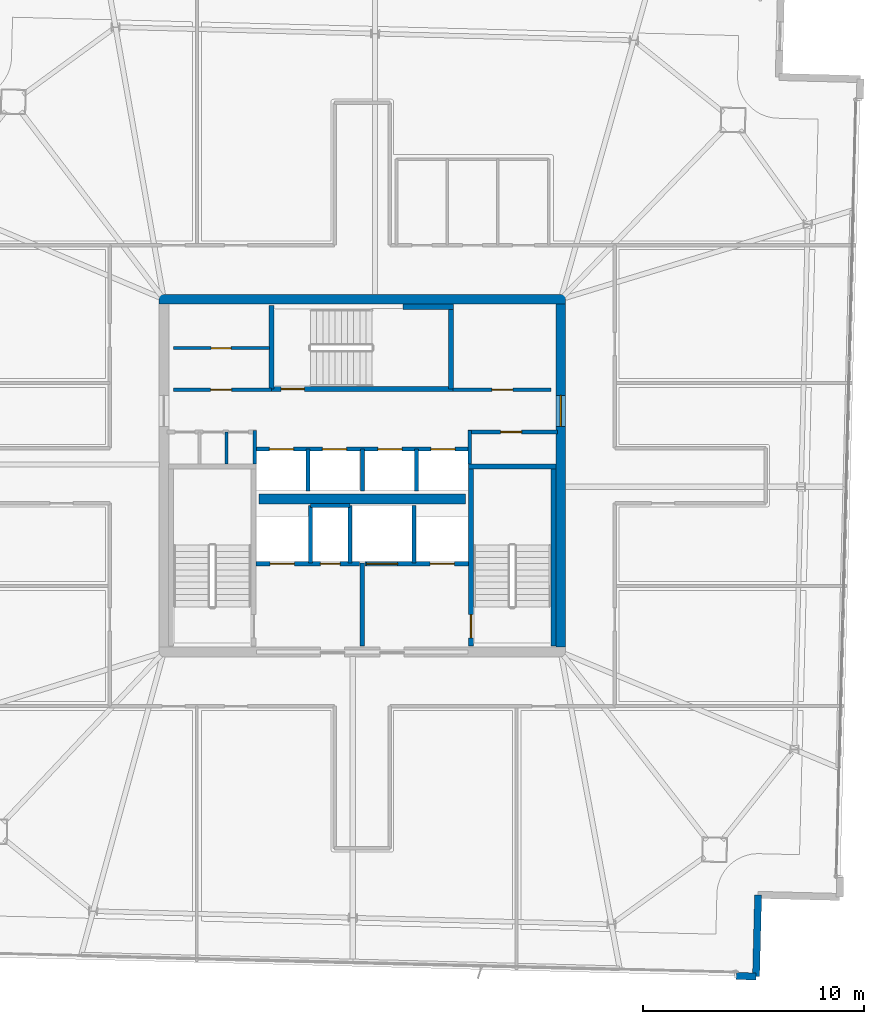
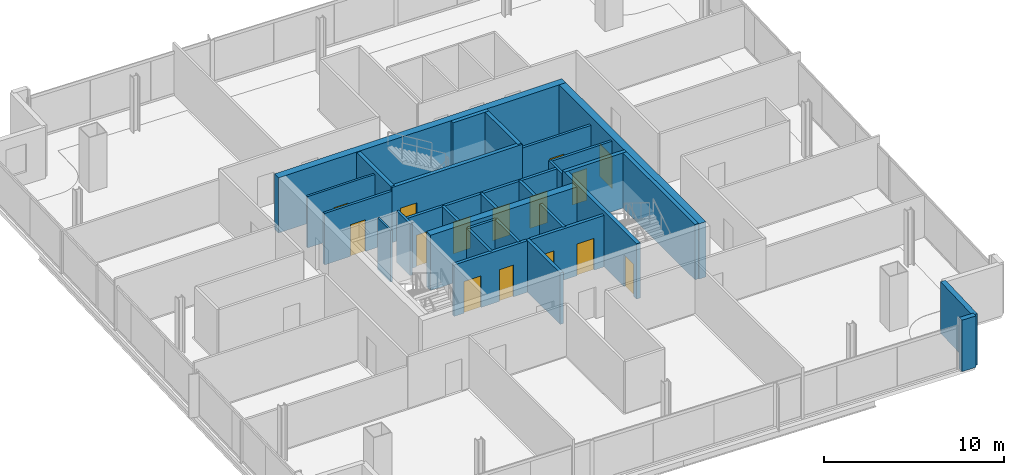
# One storey, part 20 of 25: 30 walls, 15 doors, 15 openings.
"""IFC4 building model written with IfcOpenShell, lengths in metres."""

from ifc_helpers import new_model, si_unit, direction, frame, frame_2d, origin, place, context, subcontext, project, spatial, rectangle, extrude, material, layer, layer_set, type_object, element, fill, save


model = new_model("IFC4")

# Units and contexts
model_context = context("Model", 3, precision=1e-05, world=origin(), true_north=direction((0.0, 1.0)))
body_context = subcontext(model_context, "Body", "Model", "MODEL_VIEW")
ifc_project = project(units=[si_unit("LENGTHUNIT", "METRE"), si_unit("AREAUNIT", "SQUARE_METRE"), si_unit("VOLUMEUNIT", "CUBIC_METRE"), si_unit("PLANEANGLEUNIT", "RADIAN"), si_unit("MASSUNIT", "GRAM", prefix="KILO")], contexts=[model_context])

# Site, building, storey
site_placement = place(None, origin())
site = spatial("IfcSite", under=ifc_project, at=site_placement, CompositionType="ELEMENT")
building_placement = place(site_placement, origin())
building = spatial("IfcBuilding", under=site, at=building_placement, Name="Haldenkirk Collegiate Tower", CompositionType="ELEMENT")
storey_placement = place(building_placement, frame((0.0, 0.0, 325.199951171875)))
storey = spatial("IfcBuildingStorey", under=building, at=storey_placement, Name="L82", CompositionType="ELEMENT", Elevation=325.199951171875)

# Wall
ifc_material_1 = material(Name="Concrete f'c 55 MPa", Category="concrete")
ifc_layer_1 = layer(ifc_material_1, 0.449951171875)
ifc_layer_set_1 = layer_set([ifc_layer_1], Name="Concrete f'c 55 MPa")
wall_type_1 = type_object("IfcWallType", Name="WL-CORE-450", PredefinedType="SHEAR", material=ifc_layer_set_1)
wall_1_placement = place(storey_placement, frame((26.77490234375, 34.0, 0.0), z_axis=(0.0, 0.0, 1.0), x_axis=(1.0, 0.0, 0.0)))
element("IfcWall", 1, at=wall_1_placement, inside=storey, type_object=wall_type_1, Name="L82 central core shear wall N", PredefinedType="SHEAR", context=body_context, shape_type="SweptSolid", body=[
    extrude(rectangle(XDim=18.4501953125, YDim=0.449951171875, at=frame_2d((9.22509765625, 0.0))), origin(), (0.0, 0.0, 1.0), 3.75),
])

# Wall, opening, door
wall_2_placement = place(storey_placement, frame((45.0, 18.22509765625, 0.0), z_axis=(0.0, 0.0, 1.0), x_axis=(0.0, 1.0, 0.0)))
wall_2 = element("IfcWall", 2, at=wall_2_placement, inside=storey, type_object=wall_type_1, Name="L82 central core shear wall E", PredefinedType="SHEAR", context=body_context, shape_type="SweptSolid", body=[
    extrude(rectangle(XDim=15.5498046875, YDim=0.449951171875, at=frame_2d((7.77490234375, 0.0))), origin(), (0.0, 0.0, 1.0), 3.75),
])
opening_1_placement = place(wall_2_placement, frame((10.014892578125, 0.0, 0.0)))
opening_1 = element("IfcOpeningElement", 3, at=opening_1_placement, cuts=wall_2, Name="Opening D-03", PredefinedType="OPENING", context=body_context, shape_type="SweptSolid", body=[
    extrude(rectangle(XDim=1.39990234375, YDim=2.199951171875, at=frame_2d((0.699951171875, 1.10009765625))), frame((0.0, 0.23486328125, 0.0), z_axis=(0.0, -1.0, 0.0), x_axis=(1.0, 0.0, 0.0)), (0.0, 0.0, 1.0), 0.469970703125),
])
ifc_material_2 = material(Name="Galvanized fire-rated hollow steel door", Category="steel")
ifc_layer_2 = layer(ifc_material_2, 0.06005859375)
ifc_layer_set_2 = layer_set([ifc_layer_2], Name="Galvanized fire-rated hollow steel door")
door_type_1 = type_object("IfcDoorType", Name="DR-LOBBY-FD90-1400", OperationType="NOTDEFINED", PredefinedType="DOOR", material=ifc_layer_set_2)
door_1_placement = place(opening_1_placement, origin())
door_1 = element("IfcDoor", 4, at=door_1_placement, inside=storey, type_object=door_type_1, Name="L82 east lift lobby portal", OperationType="DOUBLE_DOOR_SINGLE_SWING", OverallHeight=2.199951171875, OverallWidth=1.39990234375, PredefinedType="DOOR", context=body_context, shape_type="SweptSolid", body=[
    extrude(rectangle(XDim=1.39990234375, YDim=2.199951171875, at=frame_2d((0.699951171875, 1.10009765625))), frame((0.0, 0.02490234375, 0.0), z_axis=(0.0, -1.0, 0.0), x_axis=(1.0, 0.0, 0.0)), (0.0, 0.0, 1.0), 0.050048828125),
])
fill(opening_1, door_1)

# Walls
wall_3_placement = place(storey_placement, frame((31.31005859375, 24.949951171875, 0.0), z_axis=(0.0, 0.0, 1.0), x_axis=(1.0, 0.0, 0.0)))
element("IfcWall", 5, at=wall_3_placement, inside=storey, type_object=wall_type_1, Name="L82 central core spine shear wall", PredefinedType="SHEAR", context=body_context, shape_type="SweptSolid", body=[
    extrude(rectangle(XDim=9.3798828125, YDim=0.449951171875, at=frame_2d((4.68994140625, 0.0))), origin(), (0.0, 0.0, 1.0), 3.75),
])
ifc_material_3 = material(Name="Precast concrete f'c 40 MPa", Category="concrete")
ifc_layer_3 = layer(ifc_material_3, 0.320068359375)
ifc_layer_set_3 = layer_set([ifc_layer_3], Name="Precast concrete f'c 40 MPa")
wall_type_2 = type_object("IfcWallType", Name="WL-EXT-TWR-320", PredefinedType="STANDARD", material=ifc_layer_set_3)
wall_4_placement = place(storey_placement, frame((53.856201171875, 3.291015625, 0.0), z_axis=(0.0, 0.0, 1.0), x_axis=(-0.999681860238, 0.025222575421, 0.0)))
element("IfcWall", 6, at=wall_4_placement, inside=storey, type_object=wall_type_2, Name="L82 precast corner pier WL", PredefinedType="STANDARD", context=body_context, shape_type="SweptSolid", body=[
    extrude(rectangle(XDim=0.900146484375, YDim=0.320068359375, at=frame_2d((0.4501953125, 0.0))), origin(), (0.0, 0.0, 1.0), 3.489990234375),
])
wall_5_placement = place(storey_placement, frame((53.94970703125, 6.98974609375, 0.0), z_axis=(0.0, 0.0, 1.0), x_axis=(-0.025272453466, -0.99968060054, 0.0)))
element("IfcWall", 7, at=wall_5_placement, inside=storey, type_object=wall_type_2, Name="L82 bronze precast notch wall 11", PredefinedType="STANDARD", context=body_context, shape_type="SweptSolid", body=[
    extrude(rectangle(XDim=3.699951171875, YDim=0.320068359375, at=frame_2d((1.85009765625, 0.0))), origin(), (0.0, 0.0, 1.0), 3.489990234375),
])
ifc_material_4 = material(Name="Acoustic fire-rated gypsum partition", Category="concrete")
ifc_layer_4 = layer(ifc_material_4, 0.159912109375)
ifc_layer_set_4 = layer_set([ifc_layer_4], Name="Acoustic fire-rated gypsum partition")
wall_type_3 = type_object("IfcWallType", Name="WL-INT-CORR-160", PredefinedType="PARTITIONING", material=ifc_layer_set_4)
wall_6_placement = place(storey_placement, frame((31.1201171875, 26.5400390625, 0.0), z_axis=(0.0, 0.0, 1.0), x_axis=(0.0, 1.0, 0.0)))
element("IfcWall", 8, at=wall_6_placement, inside=storey, type_object=wall_type_3, Name="L82 interior partition IW-L82-VCSW-E", PredefinedType="PARTITIONING", context=body_context, shape_type="SweptSolid", body=[
    extrude(rectangle(XDim=1.510009765625, YDim=0.159912109375, at=frame_2d((0.7548828125, 0.0))), origin(), (0.0, 0.0, 1.0), 3.489990234375),
])

# Wall, opening, door
wall_7_placement = place(storey_placement, frame((40.800048828125, 27.97998046875, 0.0), z_axis=(0.0, 0.0, 1.0), x_axis=(1.0, 0.0, 0.0)))
wall_7 = element("IfcWall", 9, at=wall_7_placement, inside=storey, type_object=wall_type_3, Name="L82 interior partition IW-L82-VCSE-N", PredefinedType="PARTITIONING", context=body_context, shape_type="SweptSolid", body=[
    extrude(rectangle(XDim=4.050048828125, YDim=0.159912109375, at=frame_2d((2.02490234375, 0.0))), origin(), (0.0, 0.0, 1.0), 3.489990234375),
])
opening_2_placement = place(wall_7_placement, frame((1.47509765625, 0.0, 0.0)))
opening_2 = element("IfcOpeningElement", 10, at=opening_2_placement, cuts=wall_7, Name="Opening D-10", PredefinedType="OPENING", context=body_context, shape_type="SweptSolid", body=[
    extrude(rectangle(XDim=0.949951171875, YDim=2.14990234375, at=frame_2d((0.47509765625, 1.074951171875))), frame((0.0, 0.08984375, 0.0), z_axis=(0.0, -1.0, 0.0), x_axis=(1.0, 0.0, 0.0)), (0.0, 0.0, 1.0), 0.179931640625),
])
ifc_material_5 = material(Name="Solid-core architectural oak fire door", Category="wood")
ifc_layer_5 = layer(ifc_material_5, 0.06005859375)
ifc_layer_set_5 = layer_set([ifc_layer_5], Name="Solid-core architectural oak fire door")
door_type_2 = type_object("IfcDoorType", Name="DR-INT-FD60-950", OperationType="NOTDEFINED", PredefinedType="DOOR", material=ifc_layer_set_5)
door_2_placement = place(opening_2_placement, origin())
door_2 = element("IfcDoor", 11, at=door_2_placement, inside=storey, type_object=door_type_2, Name="L82 core archive vault door", OperationType="SINGLE_SWING_LEFT", OverallHeight=2.14990234375, OverallWidth=0.949951171875, PredefinedType="DOOR", context=body_context, shape_type="SweptSolid", body=[
    extrude(rectangle(XDim=0.949951171875, YDim=2.14990234375, at=frame_2d((0.47509765625, 1.074951171875))), frame((0.0, 0.02490234375, 0.0), z_axis=(0.0, -1.0, 0.0), x_axis=(1.0, 0.0, 0.0)), (0.0, 0.0, 1.0), 0.050048828125),
])
fill(opening_2, door_2)

# Wall
wall_8_placement = place(storey_placement, frame((40.8798828125, 26.5400390625, 0.0), z_axis=(0.0, 0.0, 1.0), x_axis=(0.0, 1.0, 0.0)))
element("IfcWall", 12, at=wall_8_placement, inside=storey, type_object=wall_type_3, Name="L82 interior partition IW-L82-VCSE-W", PredefinedType="PARTITIONING", context=body_context, shape_type="SweptSolid", body=[
    extrude(rectangle(XDim=1.510009765625, YDim=0.159912109375, at=frame_2d((0.7548828125, 0.0))), origin(), (0.0, 0.0, 1.0), 3.489990234375),
])

# Wall, opening, door
wall_9_placement = place(storey_placement, frame((27.449951171875, 29.89990234375, 0.0), z_axis=(0.0, 0.0, 1.0), x_axis=(1.0, 0.0, 0.0)))
wall_9 = element("IfcWall", 13, at=wall_9_placement, inside=storey, type_object=wall_type_3, Name="L82 interior partition IW-L82-PLS", PredefinedType="PARTITIONING", context=body_context, shape_type="SweptSolid", body=[
    extrude(rectangle(XDim=4.429931640625, YDim=0.159912109375, at=frame_2d((2.21484375, 0.0))), origin(), (0.0, 0.0, 1.0), 3.489990234375),
])
opening_3_placement = place(wall_9_placement, frame((1.675048828125, 0.0, 0.0)))
opening_3 = element("IfcOpeningElement", 14, at=opening_3_placement, cuts=wall_9, Name="Opening D-10", PredefinedType="OPENING", context=body_context, shape_type="SweptSolid", body=[
    extrude(rectangle(XDim=0.949951171875, YDim=2.14990234375, at=frame_2d((0.47509765625, 1.074951171875))), frame((0.0, 0.08984375, 0.0), z_axis=(0.0, -1.0, 0.0), x_axis=(1.0, 0.0, 0.0)), (0.0, 0.0, 1.0), 0.179931640625),
])
door_3_placement = place(opening_3_placement, origin())
door_3 = element("IfcDoor", 15, at=door_3_placement, inside=storey, type_object=door_type_2, Name="L82 consultation door", OperationType="SINGLE_SWING_RIGHT", OverallHeight=2.14990234375, OverallWidth=0.949951171875, PredefinedType="DOOR", context=body_context, shape_type="SweptSolid", body=[
    extrude(rectangle(XDim=0.949951171875, YDim=2.14990234375, at=frame_2d((0.47509765625, 1.074951171875))), frame((0.0, 0.02490234375, 0.0), z_axis=(0.0, -1.0, 0.0), x_axis=(1.0, 0.0, 0.0)), (0.0, 0.0, 1.0), 0.050048828125),
])
fill(opening_3, door_3)

wall_10_placement = place(storey_placement, frame((40.1201171875, 29.89990234375, 0.0), z_axis=(0.0, 0.0, 1.0), x_axis=(1.0, 0.0, 0.0)))
wall_10 = element("IfcWall", 16, at=wall_10_placement, inside=storey, type_object=wall_type_3, Name="L82 interior partition IW-L82-PMS", PredefinedType="PARTITIONING", context=body_context, shape_type="SweptSolid", body=[
    extrude(rectangle(XDim=4.429931640625, YDim=0.159912109375, at=frame_2d((2.21484375, 0.0))), origin(), (0.0, 0.0, 1.0), 3.489990234375),
])
opening_4_placement = place(wall_10_placement, frame((1.7548828125, 0.0, 0.0)))
opening_4 = element("IfcOpeningElement", 17, at=opening_4_placement, cuts=wall_10, Name="Opening D-10", PredefinedType="OPENING", context=body_context, shape_type="SweptSolid", body=[
    extrude(rectangle(XDim=0.949951171875, YDim=2.14990234375, at=frame_2d((0.47509765625, 1.074951171875))), frame((0.0, 0.08984375, 0.0), z_axis=(0.0, -1.0, 0.0), x_axis=(1.0, 0.0, 0.0)), (0.0, 0.0, 1.0), 0.179931640625),
])
door_4_placement = place(opening_4_placement, origin())
door_4 = element("IfcDoor", 18, at=door_4_placement, inside=storey, type_object=door_type_2, Name="L82 reference archive door", OperationType="SINGLE_SWING_RIGHT", OverallHeight=2.14990234375, OverallWidth=0.949951171875, PredefinedType="DOOR", context=body_context, shape_type="SweptSolid", body=[
    extrude(rectangle(XDim=0.949951171875, YDim=2.14990234375, at=frame_2d((0.47509765625, 1.074951171875))), frame((0.0, 0.02490234375, 0.0), z_axis=(0.0, -1.0, 0.0), x_axis=(1.0, 0.0, 0.0)), (0.0, 0.0, 1.0), 0.050048828125),
])
fill(opening_4, door_4)

ifc_layer_6 = layer(ifc_material_4, 0.139892578125)
ifc_layer_set_6 = layer_set([ifc_layer_6], Name="Acoustic fire-rated gypsum partition")
wall_type_4 = type_object("IfcWallType", Name="WL-INT-DIV-140", PredefinedType="PARTITIONING", material=ifc_layer_set_6)
wall_11_placement = place(storey_placement, frame((27.449951171875, 31.780029296875, 0.0), z_axis=(0.0, 0.0, 1.0), x_axis=(1.0, 0.0, 0.0)))
wall_11 = element("IfcWall", 19, at=wall_11_placement, inside=storey, type_object=wall_type_4, Name="L82 interior partition IW-L82-PLDIVH", PredefinedType="PARTITIONING", context=body_context, shape_type="SweptSolid", body=[
    extrude(rectangle(XDim=4.35009765625, YDim=0.139892578125, at=frame_2d((2.175048828125, 0.0))), origin(), (0.0, 0.0, 1.0), 3.489990234375),
])
opening_5_placement = place(wall_11_placement, frame((1.699951171875, 0.0, 0.0)))
opening_5 = element("IfcOpeningElement", 20, at=opening_5_placement, cuts=wall_11, Name="Opening D-13", PredefinedType="OPENING", context=body_context, shape_type="SweptSolid", body=[
    extrude(rectangle(XDim=0.89990234375, YDim=2.14990234375, at=frame_2d((0.449951171875, 1.074951171875))), frame((0.0, 0.079833984375, 0.0), z_axis=(0.0, -1.0, 0.0), x_axis=(1.0, 0.0, 0.0)), (0.0, 0.0, 1.0), 0.159912109375),
])
ifc_layer_7 = layer(ifc_material_5, 0.06005859375)
ifc_layer_set_7 = layer_set([ifc_layer_7], Name="Solid-core architectural oak fire door")
door_type_3 = type_object("IfcDoorType", Name="DR-INT-STD-900", OperationType="NOTDEFINED", PredefinedType="DOOR", material=ifc_layer_set_7)
door_5_placement = place(opening_5_placement, origin())
door_5 = element("IfcDoor", 21, at=door_5_placement, inside=storey, type_object=door_type_3, Name="L82 folio vault door", OperationType="SINGLE_SWING_LEFT", OverallHeight=2.14990234375, OverallWidth=0.89990234375, PredefinedType="DOOR", context=body_context, shape_type="SweptSolid", body=[
    extrude(rectangle(XDim=0.89990234375, YDim=2.14990234375, at=frame_2d((0.449951171875, 1.074951171875))), frame((0.0, 0.02490234375, 0.0), z_axis=(0.0, -1.0, 0.0), x_axis=(1.0, 0.0, 0.0)), (0.0, 0.0, 1.0), 0.050048828125),
])
fill(opening_5, door_5)

# Walls
ifc_material_6 = material(Name="Fire-rated gypsum shaftboard assembly", Category="concrete")
ifc_layer_8 = layer(ifc_material_6, 0.179931640625)
ifc_layer_set_8 = layer_set([ifc_layer_8], Name="Fire-rated gypsum shaftboard assembly")
wall_type_5 = type_object("IfcWallType", Name="WL-INT-SHAFT-180", PredefinedType="PARTITIONING", material=ifc_layer_set_8)
for number, where, z_axis, x_axis, name in (
    (22, (33.64990234375, 22.050048828125, 0.0), (0.0, 0.0, 1.0), (0.0, 1.0, 0.0), "L82 interior partition IW-L82-FL1E"),
    (23, (35.449951171875, 22.050048828125, 0.0), (0.0, 0.0, 1.0), (0.0, 1.0, 0.0), "L82 interior partition IW-L82-GL1W"),
):
    element("IfcWall", number, at=place(storey_placement, frame(where, z_axis=z_axis, x_axis=x_axis)), inside=storey, type_object=wall_type_5, Name=name, PredefinedType="PARTITIONING", context=body_context, shape_type="SweptSolid", body=[
        extrude(rectangle(XDim=2.599853515625, YDim=0.179931640625, at=frame_2d((1.2998046875, 0.0))), origin(), (0.0, 0.0, 1.0), 3.489990234375),
    ])
wall_12_placement = place(storey_placement, frame((33.64990234375, 24.64990234375, 0.0), z_axis=(0.0, 0.0, 1.0), x_axis=(1.0, 0.0, 0.0)))
element("IfcWall", 24, at=wall_12_placement, inside=storey, type_object=wall_type_5, Name="L82 interior partition IW-L82-RSRN", PredefinedType="PARTITIONING", context=body_context, shape_type="SweptSolid", body=[
    extrude(rectangle(XDim=1.800048828125, YDim=0.179931640625, at=frame_2d((0.89990234375, 0.0))), origin(), (0.0, 0.0, 1.0), 3.489990234375),
])
wall_13_placement = place(storey_placement, frame((38.35009765625, 22.050048828125, 0.0), z_axis=(0.0, 0.0, 1.0), x_axis=(0.0, 1.0, 0.0)))
element("IfcWall", 25, at=wall_13_placement, inside=storey, type_object=wall_type_5, Name="L82 interior partition IW-L82-GL1E", PredefinedType="PARTITIONING", context=body_context, shape_type="SweptSolid", body=[
    extrude(rectangle(XDim=2.599853515625, YDim=0.179931640625, at=frame_2d((1.2998046875, 0.0))), origin(), (0.0, 0.0, 1.0), 3.489990234375),
])

# Wall, openings, doors
wall_14_placement = place(storey_placement, frame((31.199951171875, 27.199951171875, 0.0), z_axis=(0.0, 0.0, 1.0), x_axis=(1.0, 0.0, 0.0)))
wall_14 = element("IfcWall", 26, at=wall_14_placement, inside=storey, type_object=wall_type_5, Name="L82 interior partition IW-L82-PHN", PredefinedType="PARTITIONING", context=body_context, shape_type="SweptSolid", body=[
    extrude(rectangle(XDim=9.60009765625, YDim=0.179931640625, at=frame_2d((4.800048828125, 0.0))), origin(), (0.0, 0.0, 1.0), 3.489990234375),
])
opening_6_placement = place(wall_14_placement, frame((0.590087890625, 0.0, 0.0)))
opening_6 = element("IfcOpeningElement", 27, at=opening_6_placement, cuts=wall_14, Name="Opening LD-11", PredefinedType="OPENING", context=body_context, shape_type="SweptSolid", body=[
    extrude(rectangle(XDim=1.10009765625, YDim=2.14990234375, at=frame_2d((0.550048828125, 1.074951171875))), frame((0.0, 0.099853515625, 0.0), z_axis=(0.0, -1.0, 0.0), x_axis=(1.0, 0.0, 0.0)), (0.0, 0.0, 1.0), 0.199951171875),
])
opening_7_placement = place(wall_14_placement, frame((2.989990234375, 0.0, 0.0)))
opening_7 = element("IfcOpeningElement", 28, at=opening_7_placement, cuts=wall_14, Name="Opening LD-11", PredefinedType="OPENING", context=body_context, shape_type="SweptSolid", body=[
    extrude(rectangle(XDim=1.10009765625, YDim=2.14990234375, at=frame_2d((0.550048828125, 1.074951171875))), frame((0.0, 0.099853515625, 0.0), z_axis=(0.0, -1.0, 0.0), x_axis=(1.0, 0.0, 0.0)), (0.0, 0.0, 1.0), 0.199951171875),
])
opening_8_placement = place(wall_14_placement, frame((5.510009765625, 0.0, 0.0)))
opening_8 = element("IfcOpeningElement", 29, at=opening_8_placement, cuts=wall_14, Name="Opening LD-11", PredefinedType="OPENING", context=body_context, shape_type="SweptSolid", body=[
    extrude(rectangle(XDim=1.10009765625, YDim=2.14990234375, at=frame_2d((0.550048828125, 1.074951171875))), frame((0.0, 0.099853515625, 0.0), z_axis=(0.0, -1.0, 0.0), x_axis=(1.0, 0.0, 0.0)), (0.0, 0.0, 1.0), 0.199951171875),
])
opening_9_placement = place(wall_14_placement, frame((7.909912109375, 0.0, 0.0)))
opening_9 = element("IfcOpeningElement", 30, at=opening_9_placement, cuts=wall_14, Name="Opening LD-11", PredefinedType="OPENING", context=body_context, shape_type="SweptSolid", body=[
    extrude(rectangle(XDim=1.10009765625, YDim=2.14990234375, at=frame_2d((0.550048828125, 1.074951171875))), frame((0.0, 0.099853515625, 0.0), z_axis=(0.0, -1.0, 0.0), x_axis=(1.0, 0.0, 0.0)), (0.0, 0.0, 1.0), 0.199951171875),
])
ifc_material_7 = material(Name="Brushed architectural stainless steel", Category="steel")
ifc_layer_9 = layer(ifc_material_7, 0.06005859375)
ifc_layer_set_9 = layer_set([ifc_layer_9], Name="Brushed architectural stainless steel")
door_type_4 = type_object("IfcDoorType", Name="LD-PASS-1100", OperationType="NOTDEFINED", PredefinedType="DOOR", material=ifc_layer_set_9)
door_6_placement = place(opening_6_placement, origin())
door_6 = element("IfcDoor", 31, at=door_6_placement, inside=storey, type_object=door_type_4, Name="L82 Elevator PH1 sliding landing door", OperationType="SLIDING_TO_LEFT", OverallHeight=2.14990234375, OverallWidth=1.10009765625, PredefinedType="DOOR", context=body_context, shape_type="SweptSolid", body=[
    extrude(rectangle(XDim=1.10009765625, YDim=2.14990234375, at=frame_2d((0.550048828125, 1.074951171875))), frame((0.0, 0.02490234375, 0.0), z_axis=(0.0, -1.0, 0.0), x_axis=(1.0, 0.0, 0.0)), (0.0, 0.0, 1.0), 0.050048828125),
])
fill(opening_6, door_6)
door_7_placement = place(opening_7_placement, origin())
door_7 = element("IfcDoor", 32, at=door_7_placement, inside=storey, type_object=door_type_4, Name="L82 Elevator PH2 sliding landing door", OperationType="SLIDING_TO_LEFT", OverallHeight=2.14990234375, OverallWidth=1.10009765625, PredefinedType="DOOR", context=body_context, shape_type="SweptSolid", body=[
    extrude(rectangle(XDim=1.10009765625, YDim=2.14990234375, at=frame_2d((0.550048828125, 1.074951171875))), frame((0.0, 0.02490234375, 0.0), z_axis=(0.0, -1.0, 0.0), x_axis=(1.0, 0.0, 0.0)), (0.0, 0.0, 1.0), 0.050048828125),
])
fill(opening_7, door_7)
door_8_placement = place(opening_8_placement, origin())
door_8 = element("IfcDoor", 33, at=door_8_placement, inside=storey, type_object=door_type_4, Name="L82 Elevator PH3 sliding landing door", OperationType="SLIDING_TO_LEFT", OverallHeight=2.14990234375, OverallWidth=1.10009765625, PredefinedType="DOOR", context=body_context, shape_type="SweptSolid", body=[
    extrude(rectangle(XDim=1.10009765625, YDim=2.14990234375, at=frame_2d((0.550048828125, 1.074951171875))), frame((0.0, 0.02490234375, 0.0), z_axis=(0.0, -1.0, 0.0), x_axis=(1.0, 0.0, 0.0)), (0.0, 0.0, 1.0), 0.050048828125),
])
fill(opening_8, door_8)
door_9_placement = place(opening_9_placement, origin())
door_9 = element("IfcDoor", 34, at=door_9_placement, inside=storey, type_object=door_type_4, Name="L82 Elevator PH4 sliding landing door", OperationType="SLIDING_TO_LEFT", OverallHeight=2.14990234375, OverallWidth=1.10009765625, PredefinedType="DOOR", context=body_context, shape_type="SweptSolid", body=[
    extrude(rectangle(XDim=1.10009765625, YDim=2.14990234375, at=frame_2d((0.550048828125, 1.074951171875))), frame((0.0, 0.02490234375, 0.0), z_axis=(0.0, -1.0, 0.0), x_axis=(1.0, 0.0, 0.0)), (0.0, 0.0, 1.0), 0.050048828125),
])
fill(opening_9, door_9)

# Walls
for number, where, z_axis, x_axis, name in (
    (35, (33.5400390625, 25.300048828125, 0.0), (0.0, 0.0, 1.0), (0.0, 1.0, 0.0), "L82 interior partition IW-L82-PHV1"),
    (36, (36.0, 25.300048828125, 0.0), (0.0, 0.0, 1.0), (0.0, 1.0, 0.0), "L82 interior partition IW-L82-PHV2"),
    (37, (38.4599609375, 25.300048828125, 0.0), (0.0, 0.0, 1.0), (0.0, 1.0, 0.0), "L82 interior partition IW-L82-PHV3"),
):
    element("IfcWall", number, at=place(storey_placement, frame(where, z_axis=z_axis, x_axis=x_axis)), inside=storey, type_object=wall_type_5, Name=name, PredefinedType="PARTITIONING", context=body_context, shape_type="SweptSolid", body=[
        extrude(rectangle(XDim=1.89990234375, YDim=0.179931640625, at=frame_2d((0.949951171875, 0.0))), origin(), (0.0, 0.0, 1.0), 3.489990234375),
    ])
ifc_layer_10 = layer(ifc_material_6, 0.199951171875)
ifc_layer_set_10 = layer_set([ifc_layer_10], Name="Fire-rated gypsum shaftboard assembly")
wall_type_6 = type_object("IfcWallType", Name="WL-INT-SHAFT-200", PredefinedType="PARTITIONING", material=ifc_layer_set_10)
wall_15_placement = place(storey_placement, frame((36.0, 18.280029296875, 0.0), z_axis=(0.0, 0.0, 1.0), x_axis=(0.0, 1.0, 0.0)))
element("IfcWall", 38, at=wall_15_placement, inside=storey, type_object=wall_type_6, Name="L82 interior partition IW-L82-FFLM", PredefinedType="PARTITIONING", context=body_context, shape_type="SweptSolid", body=[
    extrude(rectangle(XDim=3.77001953125, YDim=0.199951171875, at=frame_2d((1.885009765625, 0.0))), origin(), (0.0, 0.0, 1.0), 3.489990234375),
])

# Wall, openings, doors
wall_16_placement = place(storey_placement, frame((31.18994140625, 22.0, 0.0), z_axis=(0.0, 0.0, 1.0), x_axis=(1.0, 0.0, 0.0)))
wall_16 = element("IfcWall", 39, at=wall_16_placement, inside=storey, type_object=wall_type_6, Name="L82 interior partition IW-L82-FFL1N", PredefinedType="PARTITIONING", context=body_context, shape_type="SweptSolid", body=[
    extrude(rectangle(XDim=4.68994140625, YDim=0.199951171875, at=frame_2d((2.344970703125, 0.0))), origin(), (0.0, 0.0, 1.0), 3.489990234375),
])
opening_10_placement = place(wall_16_placement, frame((2.909912109375, 0.0, 0.0)))
opening_10 = element("IfcOpeningElement", 40, at=opening_10_placement, cuts=wall_16, Name="Opening D-06", PredefinedType="OPENING", context=body_context, shape_type="SweptSolid", body=[
    extrude(rectangle(XDim=0.89990234375, YDim=2.14990234375, at=frame_2d((0.449951171875, 1.074951171875))), frame((0.0, 0.10986328125, 0.0), z_axis=(0.0, -1.0, 0.0), x_axis=(1.0, 0.0, 0.0)), (0.0, 0.0, 1.0), 0.219970703125),
])
opening_11_placement = place(wall_16_placement, frame((0.635009765625, 0.0, 0.0)))
opening_11 = element("IfcOpeningElement", 41, at=opening_11_placement, cuts=wall_16, Name="Opening LD-12", PredefinedType="OPENING", context=body_context, shape_type="SweptSolid", body=[
    extrude(rectangle(XDim=1.10009765625, YDim=2.14990234375, at=frame_2d((0.550048828125, 1.074951171875))), frame((0.0, 0.10986328125, 0.0), z_axis=(0.0, -1.0, 0.0), x_axis=(1.0, 0.0, 0.0)), (0.0, 0.0, 1.0), 0.219970703125),
])
ifc_layer_11 = layer(ifc_material_2, 0.06005859375)
ifc_layer_set_11 = layer_set([ifc_layer_11], Name="Galvanized fire-rated hollow steel door")
door_type_5 = type_object("IfcDoorType", Name="DR-INT-FD90-900", OperationType="NOTDEFINED", PredefinedType="DOOR", material=ifc_layer_set_11)
door_10_placement = place(opening_10_placement, origin())
door_10 = element("IfcDoor", 42, at=door_10_placement, inside=storey, type_object=door_type_5, Name="L82 electrical riser door", OperationType="SINGLE_SWING_RIGHT", OverallHeight=2.14990234375, OverallWidth=0.89990234375, PredefinedType="DOOR", context=body_context, shape_type="SweptSolid", body=[
    extrude(rectangle(XDim=0.89990234375, YDim=2.14990234375, at=frame_2d((0.449951171875, 1.074951171875))), frame((0.0, 0.02490234375, 0.0), z_axis=(0.0, -1.0, 0.0), x_axis=(1.0, 0.0, 0.0)), (0.0, 0.0, 1.0), 0.050048828125),
])
fill(opening_10, door_10)
ifc_layer_12 = layer(ifc_material_7, 0.06005859375)
ifc_layer_set_12 = layer_set([ifc_layer_12], Name="Brushed architectural stainless steel")
door_type_6 = type_object("IfcDoorType", Name="LD-FIRE-1100", OperationType="NOTDEFINED", PredefinedType="DOOR", material=ifc_layer_set_12)
door_11_placement = place(opening_11_placement, origin())
door_11 = element("IfcDoor", 43, at=door_11_placement, inside=storey, type_object=door_type_6, Name="L82 Elevator FL1 sliding landing door", OperationType="SLIDING_TO_LEFT", OverallHeight=2.14990234375, OverallWidth=1.10009765625, PredefinedType="DOOR", context=body_context, shape_type="SweptSolid", body=[
    extrude(rectangle(XDim=1.10009765625, YDim=2.14990234375, at=frame_2d((0.550048828125, 1.074951171875))), frame((0.0, 0.02490234375, 0.0), z_axis=(0.0, -1.0, 0.0), x_axis=(1.0, 0.0, 0.0)), (0.0, 0.0, 1.0), 0.050048828125),
])
fill(opening_11, door_11)

wall_17_placement = place(storey_placement, frame((36.1201171875, 22.0, 0.0), z_axis=(0.0, 0.0, 1.0), x_axis=(1.0, 0.0, 0.0)))
wall_17 = element("IfcWall", 44, at=wall_17_placement, inside=storey, type_object=wall_type_6, Name="L82 interior partition IW-L82-FFL2N", PredefinedType="PARTITIONING", context=body_context, shape_type="SweptSolid", body=[
    extrude(rectangle(XDim=4.68994140625, YDim=0.199951171875, at=frame_2d((2.344970703125, 0.0))), origin(), (0.0, 0.0, 1.0), 3.489990234375),
])
opening_12_placement = place(wall_17_placement, frame((2.955078125, 0.0, 0.0)))
opening_12 = element("IfcOpeningElement", 45, at=opening_12_placement, cuts=wall_17, Name="Opening LD-12", PredefinedType="OPENING", context=body_context, shape_type="SweptSolid", body=[
    extrude(rectangle(XDim=1.10009765625, YDim=2.14990234375, at=frame_2d((0.550048828125, 1.074951171875))), frame((0.0, 0.10986328125, 0.0), z_axis=(0.0, -1.0, 0.0), x_axis=(1.0, 0.0, 0.0)), (0.0, 0.0, 1.0), 0.219970703125),
])
opening_13_placement = place(wall_17_placement, frame((0.080078125, 0.0, 0.0)))
opening_13 = element("IfcOpeningElement", 46, at=opening_13_placement, cuts=wall_17, Name="Opening LD-13", PredefinedType="OPENING", context=body_context, shape_type="SweptSolid", body=[
    extrude(rectangle(XDim=1.39990234375, YDim=2.199951171875, at=frame_2d((0.699951171875, 1.10009765625))), frame((0.0, 0.10986328125, 0.0), z_axis=(0.0, -1.0, 0.0), x_axis=(1.0, 0.0, 0.0)), (0.0, 0.0, 1.0), 0.219970703125),
])
door_12_placement = place(opening_12_placement, origin())
door_12 = element("IfcDoor", 47, at=door_12_placement, inside=storey, type_object=door_type_6, Name="L82 Elevator FL2 sliding landing door", OperationType="SLIDING_TO_LEFT", OverallHeight=2.14990234375, OverallWidth=1.10009765625, PredefinedType="DOOR", context=body_context, shape_type="SweptSolid", body=[
    extrude(rectangle(XDim=1.10009765625, YDim=2.14990234375, at=frame_2d((0.550048828125, 1.074951171875))), frame((0.0, 0.02490234375, 0.0), z_axis=(0.0, -1.0, 0.0), x_axis=(1.0, 0.0, 0.0)), (0.0, 0.0, 1.0), 0.050048828125),
])
fill(opening_12, door_12)
ifc_layer_13 = layer(ifc_material_7, 0.06005859375)
ifc_layer_set_13 = layer_set([ifc_layer_13], Name="Brushed architectural stainless steel")
door_type_7 = type_object("IfcDoorType", Name="LD-GOODS-1400", OperationType="NOTDEFINED", PredefinedType="DOOR", material=ifc_layer_set_13)
door_13_placement = place(opening_13_placement, origin())
door_13 = element("IfcDoor", 48, at=door_13_placement, inside=storey, type_object=door_type_7, Name="L82 Elevator GL1 sliding landing door", OperationType="SLIDING_TO_LEFT", OverallHeight=2.199951171875, OverallWidth=1.39990234375, PredefinedType="DOOR", context=body_context, shape_type="SweptSolid", body=[
    extrude(rectangle(XDim=1.39990234375, YDim=2.199951171875, at=frame_2d((0.699951171875, 1.10009765625))), frame((0.0, 0.02490234375, 0.0), z_axis=(0.0, -1.0, 0.0), x_axis=(1.0, 0.0, 0.0)), (0.0, 0.0, 1.0), 0.050048828125),
])
fill(opening_13, door_13)

# Wall
ifc_layer_14 = layer(ifc_material_4, 0.1201171875)
ifc_layer_set_14 = layer_set([ifc_layer_14], Name="Acoustic fire-rated gypsum partition")
wall_type_7 = type_object("IfcWallType", Name="WL-INT-WET-120", PredefinedType="PARTITIONING", material=ifc_layer_set_14)
wall_18_placement = place(storey_placement, frame((29.840087890625, 26.5400390625, 0.0), z_axis=(0.0, 0.0, 1.0), x_axis=(0.0, 1.0, 0.0)))
element("IfcWall", 49, at=wall_18_placement, inside=storey, type_object=wall_type_7, Name="L82 interior partition IW-L82-VCSW-M2", PredefinedType="PARTITIONING", context=body_context, shape_type="SweptSolid", body=[
    extrude(rectangle(XDim=1.43994140625, YDim=0.1201171875, at=frame_2d((0.719970703125, 0.0))), origin(), (0.0, 0.0, 1.0), 3.489990234375),
])

# Wall, opening, door
ifc_layer_15 = layer(ifc_material_1, 0.239990234375)
ifc_layer_set_15 = layer_set([ifc_layer_15], Name="Concrete f'c 55 MPa")
wall_type_8 = type_object("IfcWallType", Name="WL-SHAFT-240", PredefinedType="SHEAR", material=ifc_layer_set_15)
wall_19_placement = place(storey_placement, frame((40.929931640625, 18.280029296875, 0.0), z_axis=(0.0, 0.0, 1.0), x_axis=(0.0, 1.0, 0.0)))
wall_19 = element("IfcWall", 50, at=wall_19_placement, inside=storey, type_object=wall_type_8, Name="L82 stair shaft shear wall SW-L82-ST2W", PredefinedType="SHEAR", context=body_context, shape_type="SweptSolid", body=[
    extrude(rectangle(XDim=8.260009765625, YDim=0.239990234375, at=frame_2d((4.1298828125, 0.0))), origin(), (0.0, 0.0, 1.0), 3.75),
])
opening_14_placement = place(wall_19_placement, frame((0.364990234375, 0.0, 0.0)))
opening_14 = element("IfcOpeningElement", 51, at=opening_14_placement, cuts=wall_19, Name="Opening D-01", PredefinedType="OPENING", context=body_context, shape_type="SweptSolid", body=[
    extrude(rectangle(XDim=1.050048828125, YDim=2.14990234375, at=frame_2d((0.52490234375, 1.074951171875))), frame((0.0, 0.1298828125, 0.0), z_axis=(0.0, -1.0, 0.0), x_axis=(1.0, 0.0, 0.0)), (0.0, 0.0, 1.0), 0.260009765625),
])
ifc_layer_16 = layer(ifc_material_2, 0.06005859375)
ifc_layer_set_16 = layer_set([ifc_layer_16], Name="Galvanized fire-rated hollow steel door")
door_type_8 = type_object("IfcDoorType", Name="DR-STAIR-FD90-1050", OperationType="NOTDEFINED", PredefinedType="DOOR", material=ifc_layer_set_16)
door_14_placement = place(opening_14_placement, origin())
door_14 = element("IfcDoor", 52, at=door_14_placement, inside=storey, type_object=door_type_8, Name="L82 Stair 2 door", OperationType="SINGLE_SWING_RIGHT", OverallHeight=2.14990234375, OverallWidth=1.050048828125, PredefinedType="DOOR", context=body_context, shape_type="SweptSolid", body=[
    extrude(rectangle(XDim=1.050048828125, YDim=2.14990234375, at=frame_2d((0.52490234375, 1.074951171875))), frame((0.0, 0.02490234375, 0.0), z_axis=(0.0, -1.0, 0.0), x_axis=(1.0, 0.0, 0.0)), (0.0, 0.0, 1.0), 0.050048828125),
])
fill(opening_14, door_14)

# Walls
wall_20_placement = place(storey_placement, frame((40.81005859375, 26.419921875, 0.0), z_axis=(0.0, 0.0, 1.0), x_axis=(1.0, 0.0, 0.0)))
element("IfcWall", 53, at=wall_20_placement, inside=storey, type_object=wall_type_8, Name="L82 stair shaft shear wall SW-L82-ST2N", PredefinedType="SHEAR", context=body_context, shape_type="SweptSolid", body=[
    extrude(rectangle(XDim=3.97998046875, YDim=0.239990234375, at=frame_2d((1.989990234375, 0.0))), origin(), (0.0, 0.0, 1.0), 3.75),
])
wall_21_placement = place(storey_placement, frame((44.669921875, 18.280029296875, 0.0), z_axis=(0.0, 0.0, 1.0), x_axis=(0.0, 1.0, 0.0)))
element("IfcWall", 54, at=wall_21_placement, inside=storey, type_object=wall_type_8, Name="L82 stair shaft shear wall SW-L82-ST2E", PredefinedType="SHEAR", context=body_context, shape_type="SweptSolid", body=[
    extrude(rectangle(XDim=8.260009765625, YDim=0.239990234375, at=frame_2d((4.1298828125, 0.0))), origin(), (0.0, 0.0, 1.0), 3.75),
])

# Wall, opening, door
wall_22_placement = place(storey_placement, frame((31.760009765625, 29.929931640625, 0.0), z_axis=(0.0, 0.0, 1.0), x_axis=(1.0, 0.0, 0.0)))
wall_22 = element("IfcWall", 55, at=wall_22_placement, inside=storey, type_object=wall_type_8, Name="L82 stair shaft shear wall SW-L82-ST3S", PredefinedType="SHEAR", context=body_context, shape_type="SweptSolid", body=[
    extrude(rectangle(XDim=8.3798828125, YDim=0.239990234375, at=frame_2d((4.18994140625, 0.0))), origin(), (0.0, 0.0, 1.0), 3.75),
])
opening_15_placement = place(wall_22_placement, frame((0.56494140625, 0.0, 0.0)))
opening_15 = element("IfcOpeningElement", 56, at=opening_15_placement, cuts=wall_22, Name="Opening D-01", PredefinedType="OPENING", context=body_context, shape_type="SweptSolid", body=[
    extrude(rectangle(XDim=1.050048828125, YDim=2.14990234375, at=frame_2d((0.52490234375, 1.074951171875))), frame((0.0, 0.1298828125, 0.0), z_axis=(0.0, -1.0, 0.0), x_axis=(1.0, 0.0, 0.0)), (0.0, 0.0, 1.0), 0.260009765625),
])
door_15_placement = place(opening_15_placement, origin())
door_15 = element("IfcDoor", 57, at=door_15_placement, inside=storey, type_object=door_type_8, Name="L82 lift lobby Stair 3 door", OperationType="SINGLE_SWING_LEFT", OverallHeight=2.14990234375, OverallWidth=1.050048828125, PredefinedType="DOOR", context=body_context, shape_type="SweptSolid", body=[
    extrude(rectangle(XDim=1.050048828125, YDim=2.14990234375, at=frame_2d((0.52490234375, 1.074951171875))), frame((0.0, 0.02490234375, 0.0), z_axis=(0.0, -1.0, 0.0), x_axis=(1.0, 0.0, 0.0)), (0.0, 0.0, 1.0), 0.050048828125),
])
fill(opening_15, door_15)

# Walls
wall_23_placement = place(storey_placement, frame((31.8798828125, 29.929931640625, 0.0), z_axis=(0.0, 0.0, 1.0), x_axis=(0.0, 1.0, 0.0)))
element("IfcWall", 58, at=wall_23_placement, inside=storey, type_object=wall_type_8, Name="L82 stair shaft shear wall SW-L82-ST3W", PredefinedType="SHEAR", context=body_context, shape_type="SweptSolid", body=[
    extrude(rectangle(XDim=3.7900390625, YDim=0.239990234375, at=frame_2d((1.89501953125, 0.0))), origin(), (0.0, 0.0, 1.0), 3.75),
])
wall_24_placement = place(storey_placement, frame((40.02001953125, 29.929931640625, 0.0), z_axis=(0.0, 0.0, 1.0), x_axis=(0.0, 1.0, 0.0)))
element("IfcWall", 59, at=wall_24_placement, inside=storey, type_object=wall_type_8, Name="L82 stair shaft shear wall SW-L82-ST3E", PredefinedType="SHEAR", context=body_context, shape_type="SweptSolid", body=[
    extrude(rectangle(XDim=3.85009765625, YDim=0.239990234375, at=frame_2d((1.925048828125, 0.0))), origin(), (0.0, 0.0, 1.0), 3.75),
])
wall_25_placement = place(storey_placement, frame((37.85009765625, 33.659912109375, 0.0), z_axis=(0.0, 0.0, 1.0), x_axis=(1.0, 0.0, 0.0)))
element("IfcWall", 60, at=wall_25_placement, inside=storey, type_object=wall_type_8, Name="L82 stair shaft shear wall SW-L82-ST3N", PredefinedType="SHEAR", context=body_context, shape_type="SweptSolid", body=[
    extrude(rectangle(XDim=2.289794921875, YDim=0.239990234375, at=frame_2d((1.14501953125, 0.0))), origin(), (0.0, 0.0, 1.0), 3.75),
])

save(model, "model.ifc")
